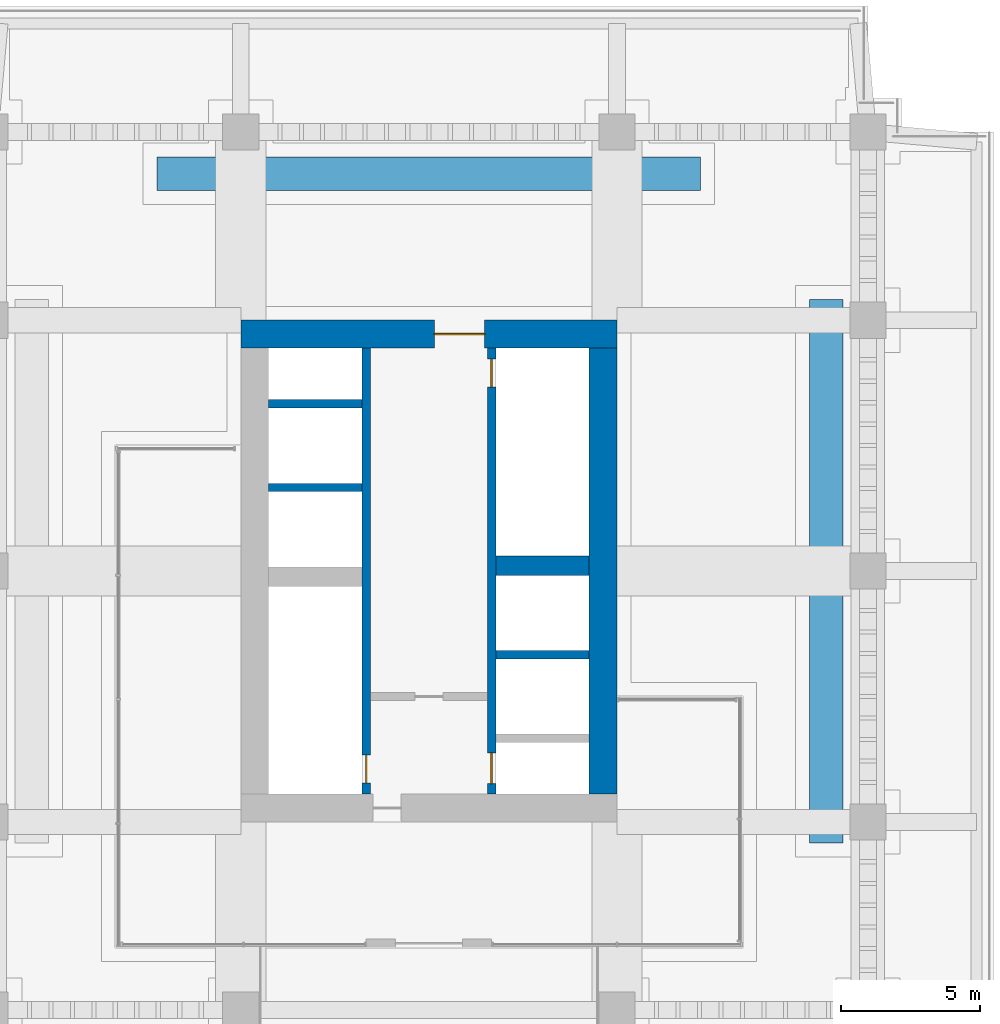
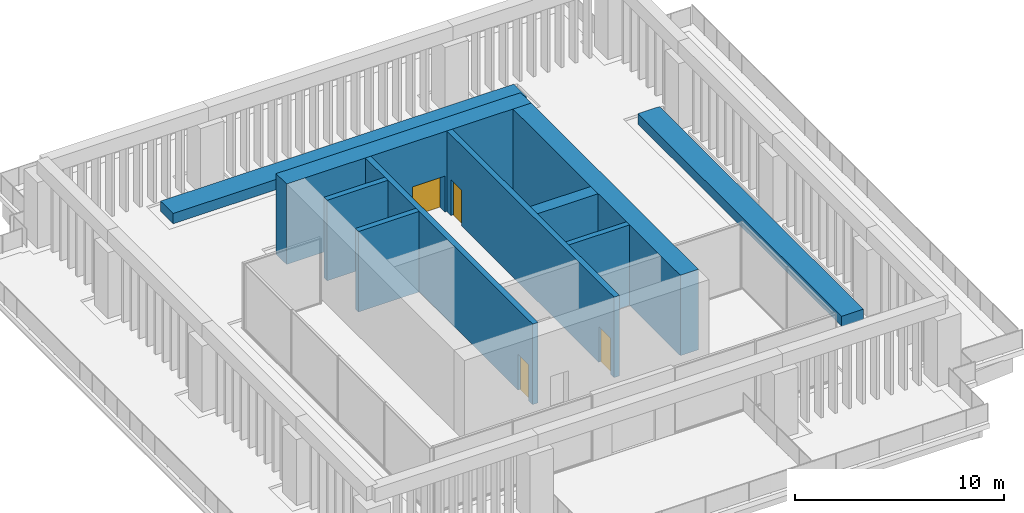
# One storey, part 7 of 9: 10 walls, 4 doors, 4 openings.
"""IFC4 building model written with IfcOpenShell, lengths in metres."""

from ifc_helpers import new_model, si_unit, direction, frame, frame_2d, origin, place, context, subcontext, project, spatial, rectangle, extrude, material, layer, layer_set, type_object, element, fill, save


model = new_model("IFC4")

# Units and contexts
model_context = context("Model", 3, precision=1e-05, world=origin(), true_north=direction((0.0, 1.0)))
body_context = subcontext(model_context, "Body", "Model", "MODEL_VIEW")
ifc_project = project(units=[si_unit("LENGTHUNIT", "METRE"), si_unit("AREAUNIT", "SQUARE_METRE"), si_unit("VOLUMEUNIT", "CUBIC_METRE"), si_unit("PLANEANGLEUNIT", "RADIAN"), si_unit("MASSUNIT", "GRAM", prefix="KILO")], contexts=[model_context])

# Site, building, storey
site_placement = place(None, origin())
site = spatial("IfcSite", under=ifc_project, at=site_placement, CompositionType="ELEMENT")
building_placement = place(site_placement, origin())
building = spatial("IfcBuilding", under=site, at=building_placement, Name="Namib Vertical Campus", CompositionType="ELEMENT")
storey_placement = place(building_placement, frame((0.0, 0.0, 297.0)))
storey = spatial("IfcBuildingStorey", under=building, at=storey_placement, Name="L70", CompositionType="ELEMENT", Elevation=297.0)

# Wall, opening, door
ifc_material_1 = material(Name="Concrete C60/75", Category="concrete")
ifc_layer_1 = layer(ifc_material_1, 0.300048828125)
ifc_layer_set_1 = layer_set([ifc_layer_1], Name="Concrete C60/75")
wall_type_1 = type_object("IfcWallType", Name="Core inner wall 300", PredefinedType="SHEAR", material=ifc_layer_set_1)
wall_1_placement = place(storey_placement, frame((18.0, 12.25, 0.0), z_axis=(0.0, 0.0, 1.0), x_axis=(0.0, 1.0, 0.0)))
wall_1 = element("IfcWall", 1, at=wall_1_placement, inside=storey, type_object=wall_type_1, Name="Core inner wall A L70 W1", PredefinedType="SHEAR", context=body_context, shape_type="SweptSolid", body=[
    extrude(rectangle(XDim=16.0, YDim=0.300048828125, at=frame_2d((8.0, 0.0))), origin(), (0.0, 0.0, 1.0), 4.699951171875),
])
opening_1_placement = place(wall_1_placement, frame((0.39990234375, 0.0, 0.0)))
opening_1 = element("IfcOpeningElement", 2, at=opening_1_placement, cuts=wall_1, Name="Opening FD1", PredefinedType="OPENING", context=body_context, shape_type="SweptSolid", body=[
    extrude(rectangle(XDim=1.0, YDim=2.10009765625, at=frame_2d((0.5, 1.050048828125))), frame((0.0, 0.159912109375, 0.0), z_axis=(0.0, -1.0, 0.0), x_axis=(1.0, 0.0, 0.0)), (0.0, 0.0, 1.0), 0.320068359375),
])
ifc_material_2 = material(Name="Steel fire door", Category="steel")
door_type_1 = type_object("IfcDoorType", Name="Fire door 1000x2100", OperationType="SINGLE_SWING_RIGHT", PredefinedType="DOOR", material=ifc_material_2)
door_1_placement = place(opening_1_placement, origin())
door_1 = element("IfcDoor", 3, at=door_1_placement, inside=storey, type_object=door_type_1, Name="Stair door FD1 A L70 S1", OperationType="SINGLE_SWING_LEFT", OverallHeight=2.10009765625, OverallWidth=1.0, PredefinedType="DOOR", context=body_context, shape_type="SweptSolid", body=[
    extrude(rectangle(XDim=1.0, YDim=2.10009765625, at=frame_2d((0.5, 1.050048828125))), frame((0.0, 0.02490234375, 0.0), z_axis=(0.0, -1.0, 0.0), x_axis=(1.0, 0.0, 0.0)), (0.0, 0.0, 1.0), 0.050048828125),
])
fill(opening_1, door_1)

# Wall, openings, doors
wall_2_placement = place(storey_placement, frame((22.5, 12.25, 0.0), z_axis=(0.0, 0.0, 1.0), x_axis=(0.0, 1.0, 0.0)))
wall_2 = element("IfcWall", 4, at=wall_2_placement, inside=storey, type_object=wall_type_1, Name="Core inner wall A L70 W2", PredefinedType="SHEAR", context=body_context, shape_type="SweptSolid", body=[
    extrude(rectangle(XDim=16.0, YDim=0.300048828125, at=frame_2d((8.0, 0.0))), origin(), (0.0, 0.0, 1.0), 4.699951171875),
])
opening_2_placement = place(wall_2_placement, frame((14.60009765625, 0.0, 0.0)))
opening_2 = element("IfcOpeningElement", 5, at=opening_2_placement, cuts=wall_2, Name="Opening FD1", PredefinedType="OPENING", context=body_context, shape_type="SweptSolid", body=[
    extrude(rectangle(XDim=1.0, YDim=2.10009765625, at=frame_2d((0.5, 1.050048828125))), frame((0.0, 0.159912109375, 0.0), z_axis=(0.0, -1.0, 0.0), x_axis=(1.0, 0.0, 0.0)), (0.0, 0.0, 1.0), 0.320068359375),
])
opening_3_placement = place(wall_2_placement, frame((0.375, 0.0, 0.0)))
opening_3 = element("IfcOpeningElement", 6, at=opening_3_placement, cuts=wall_2, Name="Opening LD1", PredefinedType="OPENING", context=body_context, shape_type="SweptSolid", body=[
    extrude(rectangle(XDim=1.10009765625, YDim=2.10009765625, at=frame_2d((0.550048828125, 1.050048828125))), frame((0.0, 0.159912109375, 0.0), z_axis=(0.0, -1.0, 0.0), x_axis=(1.0, 0.0, 0.0)), (0.0, 0.0, 1.0), 0.320068359375),
])
door_2_placement = place(opening_2_placement, frame((1.0, 0.0, 0.0), z_axis=(0.0, 0.0, 1.0), x_axis=(-1.0, 0.0, 0.0)))
door_2 = element("IfcDoor", 7, at=door_2_placement, inside=storey, type_object=door_type_1, Name="Stair door FD1 A L70 S2", OperationType="SINGLE_SWING_LEFT", OverallHeight=2.10009765625, OverallWidth=1.0, PredefinedType="DOOR", context=body_context, shape_type="SweptSolid", body=[
    extrude(rectangle(XDim=1.0, YDim=2.10009765625, at=frame_2d((0.5, 1.050048828125))), frame((0.0, 0.02490234375, 0.0), z_axis=(0.0, -1.0, 0.0), x_axis=(1.0, 0.0, 0.0)), (0.0, 0.0, 1.0), 0.050048828125),
])
fill(opening_2, door_2)
ifc_material_3 = material(Name="Stainless steel lift door", Category="steel")
door_type_2 = type_object("IfcDoorType", Name="Lift landing door 1100x2100", OperationType="DOUBLE_DOOR_SLIDING", PredefinedType="DOOR", material=ifc_material_3)
door_3_placement = place(opening_3_placement, origin())
door_3 = element("IfcDoor", 8, at=door_3_placement, inside=storey, type_object=door_type_2, Name="Lift landing door LD1 A-FL1 L70", OperationType="DOUBLE_DOOR_SLIDING", OverallHeight=2.10009765625, OverallWidth=1.10009765625, PredefinedType="DOOR", context=body_context, shape_type="SweptSolid", body=[
    extrude(rectangle(XDim=1.10009765625, YDim=2.10009765625, at=frame_2d((0.550048828125, 1.050048828125))), frame((0.0, 0.02490234375, 0.0), z_axis=(0.0, -1.0, 0.0), x_axis=(1.0, 0.0, 0.0)), (0.0, 0.0, 1.0), 0.050048828125),
])
fill(opening_3, door_3)

# Walls
for number, where, z_axis, x_axis, name in (
    (9, (22.64990234375, 17.25, 0.0), (0.0, 0.0, 1.0), (1.0, 0.0, 0.0), "Core inner wall A L70 W6"),
    (10, (14.5, 23.25, 0.0), (0.0, 0.0, 1.0), (1.0, 0.0, 0.0), "Core inner wall A L70 W8"),
    (11, (14.5, 26.25, 0.0), (0.0, 0.0, 1.0), (1.0, 0.0, 0.0), "Core inner wall A L70 W9"),
):
    element("IfcWall", number, at=place(storey_placement, frame(where, z_axis=z_axis, x_axis=x_axis)), inside=storey, type_object=wall_type_1, Name=name, PredefinedType="SHEAR", context=body_context, shape_type="SweptSolid", body=[
        extrude(rectangle(XDim=3.35009765625, YDim=0.300048828125, at=frame_2d((1.675048828125, 0.0))), origin(), (0.0, 0.0, 1.0), 4.699951171875),
    ])
ifc_material_4 = material(Name="Concrete C60/75", Category="concrete")
ifc_layer_2 = layer(ifc_material_4, 0.699951171875)
ifc_layer_set_2 = layer_set([ifc_layer_2], Name="Concrete C60/75")
wall_type_2 = type_object("IfcWallType", Name="Core shear wall 700", PredefinedType="SHEAR", material=ifc_layer_set_2)
wall_3_placement = place(storey_placement, frame((22.64990234375, 20.449951171875, 0.0), z_axis=(0.0, 0.0, 1.0), x_axis=(1.0, 0.0, 0.0)))
element("IfcWall", 12, at=wall_3_placement, inside=storey, type_object=wall_type_2, Name="Core shear wall A L70 W7", PredefinedType="SHEAR", context=body_context, shape_type="SweptSolid", body=[
    extrude(rectangle(XDim=3.35009765625, YDim=0.699951171875, at=frame_2d((1.675048828125, 0.0))), origin(), (0.0, 0.0, 1.0), 4.699951171875),
])
ifc_material_5 = material(Name="Concrete C60/75", Category="concrete")
ifc_layer_3 = layer(ifc_material_5, 1.0)
ifc_layer_set_3 = layer_set([ifc_layer_3], Name="Concrete C60/75")
wall_type_3 = type_object("IfcWallType", Name="Core wall 1000", PredefinedType="SHEAR", material=ifc_layer_set_3)
wall_4_placement = place(storey_placement, frame((26.5, 12.25, 0.0), z_axis=(0.0, 0.0, 1.0), x_axis=(0.0, 1.0, 0.0)))
element("IfcWall", 13, at=wall_4_placement, inside=storey, type_object=wall_type_3, Name="Core wall A L70 2", PredefinedType="SHEAR", context=body_context, shape_type="SweptSolid", body=[
    extrude(rectangle(XDim=16.0, YDim=1.0, at=frame_2d((8.0, 0.0))), origin(), (0.0, 0.0, 1.0), 4.699951171875),
])

# Wall, opening, door
wall_5_placement = place(storey_placement, frame((27.0, 28.75, 0.0), z_axis=(0.0, 0.0, 1.0), x_axis=(-1.0, 0.0, 0.0)))
wall_5 = element("IfcWall", 14, at=wall_5_placement, inside=storey, type_object=wall_type_3, Name="Core wall A L70 3", PredefinedType="SHEAR", context=body_context, shape_type="SweptSolid", body=[
    extrude(rectangle(XDim=13.5, YDim=1.0, at=frame_2d((6.75, 0.0))), origin(), (0.0, 0.0, 1.0), 4.699951171875),
])
opening_4_placement = place(wall_5_placement, frame((4.75, 0.0, 0.0)))
opening_4 = element("IfcOpeningElement", 15, at=opening_4_placement, cuts=wall_5, Name="Opening FD2", PredefinedType="OPENING", context=body_context, shape_type="SweptSolid", body=[
    extrude(rectangle(XDim=1.800048828125, YDim=2.10009765625, at=frame_2d((0.89990234375, 1.050048828125))), frame((0.0, 0.510009765625, 0.0), z_axis=(0.0, -1.0, 0.0), x_axis=(1.0, 0.0, 0.0)), (0.0, 0.0, 1.0), 1.02001953125),
])
ifc_material_6 = material(Name="Steel fire door", Category="steel")
door_type_3 = type_object("IfcDoorType", Name="Fire door double 1800x2100", OperationType="DOUBLE_DOOR_SINGLE_SWING", PredefinedType="DOOR", material=ifc_material_6)
door_4_placement = place(opening_4_placement, origin())
door_4 = element("IfcDoor", 16, at=door_4_placement, inside=storey, type_object=door_type_3, Name="Lift lobby door FD2 A L70", OperationType="DOUBLE_DOOR_SINGLE_SWING", OverallHeight=2.10009765625, OverallWidth=1.800048828125, PredefinedType="DOOR", context=body_context, shape_type="SweptSolid", body=[
    extrude(rectangle(XDim=1.800048828125, YDim=2.10009765625, at=frame_2d((0.89990234375, 1.050048828125))), frame((0.0, 0.02490234375, 0.0), z_axis=(0.0, -1.0, 0.0), x_axis=(1.0, 0.0, 0.0)), (0.0, 0.0, 1.0), 0.050048828125),
])
fill(opening_4, door_4)

# Walls
ifc_material_7 = material(Name="Concrete C40/50 precast", Category="concrete")
ifc_layer_4 = layer(ifc_material_7, 1.199951171875)
ifc_layer_set_4 = layer_set([ifc_layer_4], Name="Concrete C40/50 precast")
wall_type_4 = type_object("IfcWallType", Name="Planter 1200", PredefinedType="USERDEFINED", material=ifc_layer_set_4)
for number, where, z_axis, x_axis, name in (
    (17, (34.5, 10.5, 0.0), (0.0, 0.0, 1.0), (0.0, 1.0, 0.0), "Planter PL1 sky garden 2"),
    (18, (10.5, 34.5, 0.0), (0.0, 0.0, 1.0), (1.0, 0.0, 0.0), "Planter PL1 sky garden 3"),
):
    element("IfcWall", number, at=place(storey_placement, frame(where, z_axis=z_axis, x_axis=x_axis)), inside=storey, type_object=wall_type_4, Name=name, ObjectType="PLANTER", PredefinedType="USERDEFINED", context=body_context, shape_type="SweptSolid", body=[
        extrude(rectangle(XDim=19.5, YDim=1.199951171875, at=frame_2d((9.75, 0.0))), origin(), (0.0, 0.0, 1.0), 0.60009765625),
    ])

save(model, "model.ifc")
